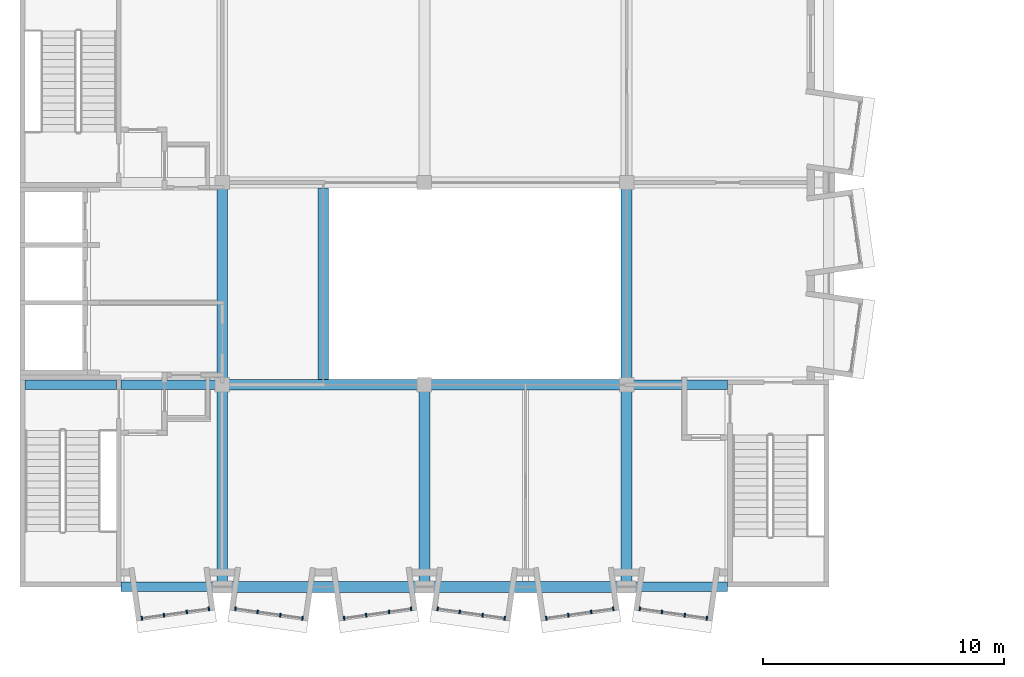
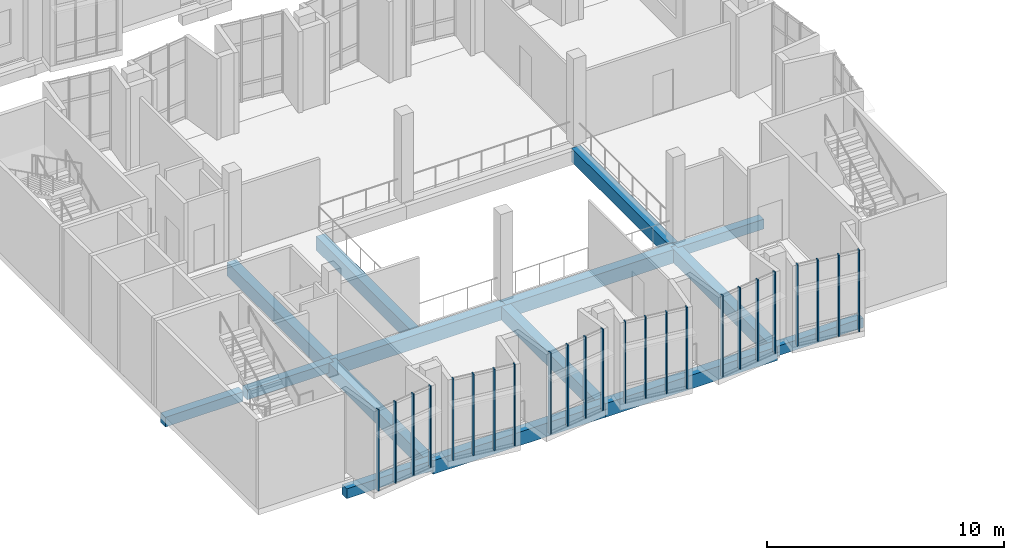
# One storey, part 2 of 95: 24 members, 15 beams, 6 elements without a shape of their own.
"""IFC4 building model written with IfcOpenShell, lengths in metres."""

from ifc_helpers import new_model, si_unit, direction, frame, origin, origin_2d, place, context, subcontext, project, spatial, rectangle, extrude, material, layer, layer_set, material_profile, profile_set, type_object, element, aggregate, save


model = new_model("IFC4")

# Units and contexts
model_context = context("Model", 3, precision=1e-05, world=origin(), true_north=direction((0.0, 1.0)))
body_context = subcontext(model_context, "Body", "Model", "MODEL_VIEW")
ifc_project = project(units=[si_unit("LENGTHUNIT", "METRE"), si_unit("AREAUNIT", "SQUARE_METRE"), si_unit("VOLUMEUNIT", "CUBIC_METRE"), si_unit("PLANEANGLEUNIT", "RADIAN"), si_unit("MASSUNIT", "GRAM", prefix="KILO")], contexts=[model_context])

# Site, building, storey
site_placement = place(None, origin())
site = spatial("IfcSite", under=ifc_project, at=site_placement, CompositionType="ELEMENT")
building_placement = place(site_placement, origin())
building = spatial("IfcBuilding", under=site, at=building_placement, Name="Kiln Court Media Centre", CompositionType="ELEMENT")
storey_placement = place(building_placement, frame((0.0, 0.0, 24.60009765625)))
storey = spatial("IfcBuildingStorey", under=building, at=storey_placement, Name="L05", CompositionType="ELEMENT", Elevation=24.60009765625)

# Curtain wall, members
ifc_material_1 = material(Name="Aluminium 6063-T6", Category="aluminium")
ifc_layer = layer(ifc_material_1, 0.1201171875)
ifc_layer_set = layer_set([ifc_layer], Name="Aluminium unitised bay curtain wall")
curtain_wall_type = type_object("IfcCurtainWallType", Name="Aluminium unitised bay curtain wall", PredefinedType="USERDEFINED", material=ifc_layer_set)
curtain_wall_1_placement = place(storey_placement, origin())
curtain_wall_1 = element("IfcCurtainWall", 1, at=curtain_wall_1_placement, inside=storey, type_object=curtain_wall_type, Name="BAY V6A-S-L05-32 front", ObjectType="UNITISED CURTAIN WALL", PredefinedType="USERDEFINED")
ifc_material_2 = material(Name="Aluminium 6063-T6", Category="aluminium")
ifc_material_profile_1 = material_profile(ifc_material_2, rectangle(XDim=0.06005859375, YDim=0.159912109375, at=origin_2d()), Name="Aluminium mullion 60x160")
ifc_profile_set_1 = profile_set([ifc_material_profile_1], Name="Aluminium 6063-T6")
member_type = type_object("IfcMemberType", Name="Aluminium mullion 60x160", PredefinedType="MULLION", material=ifc_profile_set_1)
member_1_placement = place(storey_placement, frame((5.064453125, -1.3046875, 0.0), z_axis=(0.0, 0.0, 1.0), x_axis=(0.990269562409, 0.139162472554, 0.0)))
member_1 = element("IfcMember", 2, at=member_1_placement, type_object=member_type, Name="CW5-15 mullion 1", PredefinedType="MULLION", context=body_context, shape_type="SweptSolid", body=[
    extrude(rectangle(XDim=0.06005859375, YDim=0.159912109375, at=origin_2d()), origin(), (0.0, 0.0, 1.0), 4.199951171875),
])
member_2_placement = place(storey_placement, frame((5.982177734375, -1.17578125, 0.0), z_axis=(0.0, 0.0, 1.0), x_axis=(0.990269562409, 0.139162472554, 0.0)))
member_2 = element("IfcMember", 3, at=member_2_placement, type_object=member_type, Name="CW5-15 mullion 2", PredefinedType="MULLION", context=body_context, shape_type="SweptSolid", body=[
    extrude(rectangle(XDim=0.06005859375, YDim=0.159912109375, at=origin_2d()), origin(), (0.0, 0.0, 1.0), 4.199951171875),
])
member_3_placement = place(storey_placement, frame((6.929443359375, -1.04248046875, 0.0), z_axis=(0.0, 0.0, 1.0), x_axis=(0.990269562409, 0.139162472554, 0.0)))
member_3 = element("IfcMember", 4, at=member_3_placement, type_object=member_type, Name="CW5-15 mullion 3", PredefinedType="MULLION", context=body_context, shape_type="SweptSolid", body=[
    extrude(rectangle(XDim=0.06005859375, YDim=0.159912109375, at=origin_2d()), origin(), (0.0, 0.0, 1.0), 4.199951171875),
])
member_4_placement = place(storey_placement, frame((7.84716796875, -0.91357421875, 0.0), z_axis=(0.0, 0.0, 1.0), x_axis=(0.990269562409, 0.139162472554, 0.0)))
member_4 = element("IfcMember", 5, at=member_4_placement, type_object=member_type, Name="CW5-15 mullion 4", PredefinedType="MULLION", context=body_context, shape_type="SweptSolid", body=[
    extrude(rectangle(XDim=0.06005859375, YDim=0.159912109375, at=origin_2d()), origin(), (0.0, 0.0, 1.0), 4.199951171875),
])
aggregate(curtain_wall_1, [member_1, member_2, member_3, member_4])

curtain_wall_2_placement = place(storey_placement, origin())
curtain_wall_2 = element("IfcCurtainWall", 6, at=curtain_wall_2_placement, inside=storey, type_object=curtain_wall_type, Name="BAY V6A-S-L05-33 front", ObjectType="UNITISED CURTAIN WALL", PredefinedType="USERDEFINED")
member_5_placement = place(storey_placement, frame((8.952880859375, -0.91357421875, 0.0), z_axis=(0.0, 0.0, 1.0), x_axis=(0.990269562409, -0.139162472554, 0.0)))
member_5 = element("IfcMember", 7, at=member_5_placement, type_object=member_type, Name="CW5-16 mullion 1", PredefinedType="MULLION", context=body_context, shape_type="SweptSolid", body=[
    extrude(rectangle(XDim=0.06005859375, YDim=0.159912109375, at=origin_2d()), origin(), (0.0, 0.0, 1.0), 4.199951171875),
])
member_6_placement = place(storey_placement, frame((9.870361328125, -1.04248046875, 0.0), z_axis=(0.0, 0.0, 1.0), x_axis=(0.990269562409, -0.139162472554, 0.0)))
member_6 = element("IfcMember", 8, at=member_6_placement, type_object=member_type, Name="CW5-16 mullion 2", PredefinedType="MULLION", context=body_context, shape_type="SweptSolid", body=[
    extrude(rectangle(XDim=0.06005859375, YDim=0.159912109375, at=origin_2d()), origin(), (0.0, 0.0, 1.0), 4.199951171875),
])
member_7_placement = place(storey_placement, frame((10.81787109375, -1.17578125, 0.0), z_axis=(0.0, 0.0, 1.0), x_axis=(0.990269562409, -0.139162472554, 0.0)))
member_7 = element("IfcMember", 9, at=member_7_placement, type_object=member_type, Name="CW5-16 mullion 3", PredefinedType="MULLION", context=body_context, shape_type="SweptSolid", body=[
    extrude(rectangle(XDim=0.06005859375, YDim=0.159912109375, at=origin_2d()), origin(), (0.0, 0.0, 1.0), 4.199951171875),
])
member_8_placement = place(storey_placement, frame((11.735595703125, -1.3046875, 0.0), z_axis=(0.0, 0.0, 1.0), x_axis=(0.990269562409, -0.139162472554, 0.0)))
member_8 = element("IfcMember", 10, at=member_8_placement, type_object=member_type, Name="CW5-16 mullion 4", PredefinedType="MULLION", context=body_context, shape_type="SweptSolid", body=[
    extrude(rectangle(XDim=0.06005859375, YDim=0.159912109375, at=origin_2d()), origin(), (0.0, 0.0, 1.0), 4.199951171875),
])
aggregate(curtain_wall_2, [member_5, member_6, member_7, member_8])

curtain_wall_3_placement = place(storey_placement, origin())
curtain_wall_3 = element("IfcCurtainWall", 11, at=curtain_wall_3_placement, inside=storey, type_object=curtain_wall_type, Name="BAY V6A-S-L05-34 front", ObjectType="UNITISED CURTAIN WALL", PredefinedType="USERDEFINED")
member_9_placement = place(storey_placement, frame((13.464599609375, -1.3046875, 0.0), z_axis=(0.0, 0.0, 1.0), x_axis=(0.990269562409, 0.139162472554, 0.0)))
member_9 = element("IfcMember", 12, at=member_9_placement, type_object=member_type, Name="CW5-17 mullion 1", PredefinedType="MULLION", context=body_context, shape_type="SweptSolid", body=[
    extrude(rectangle(XDim=0.06005859375, YDim=0.159912109375, at=origin_2d()), origin(), (0.0, 0.0, 1.0), 4.199951171875),
])
member_10_placement = place(storey_placement, frame((14.382080078125, -1.17578125, 0.0), z_axis=(0.0, 0.0, 1.0), x_axis=(0.990269562409, 0.139162472554, 0.0)))
member_10 = element("IfcMember", 13, at=member_10_placement, type_object=member_type, Name="CW5-17 mullion 2", PredefinedType="MULLION", context=body_context, shape_type="SweptSolid", body=[
    extrude(rectangle(XDim=0.06005859375, YDim=0.159912109375, at=origin_2d()), origin(), (0.0, 0.0, 1.0), 4.199951171875),
])
member_11_placement = place(storey_placement, frame((15.32958984375, -1.04248046875, 0.0), z_axis=(0.0, 0.0, 1.0), x_axis=(0.990269562409, 0.139162472554, 0.0)))
member_11 = element("IfcMember", 14, at=member_11_placement, type_object=member_type, Name="CW5-17 mullion 3", PredefinedType="MULLION", context=body_context, shape_type="SweptSolid", body=[
    extrude(rectangle(XDim=0.06005859375, YDim=0.159912109375, at=origin_2d()), origin(), (0.0, 0.0, 1.0), 4.199951171875),
])
member_12_placement = place(storey_placement, frame((16.2470703125, -0.91357421875, 0.0), z_axis=(0.0, 0.0, 1.0), x_axis=(0.990269562409, 0.139162472554, 0.0)))
member_12 = element("IfcMember", 15, at=member_12_placement, type_object=member_type, Name="CW5-17 mullion 4", PredefinedType="MULLION", context=body_context, shape_type="SweptSolid", body=[
    extrude(rectangle(XDim=0.06005859375, YDim=0.159912109375, at=origin_2d()), origin(), (0.0, 0.0, 1.0), 4.199951171875),
])
aggregate(curtain_wall_3, [member_9, member_10, member_11, member_12])

curtain_wall_4_placement = place(storey_placement, origin())
curtain_wall_4 = element("IfcCurtainWall", 16, at=curtain_wall_4_placement, inside=storey, type_object=curtain_wall_type, Name="BAY V6A-S-L05-35 front", ObjectType="UNITISED CURTAIN WALL", PredefinedType="USERDEFINED")
member_13_placement = place(storey_placement, frame((17.352783203125, -0.91357421875, 0.0), z_axis=(0.0, 0.0, 1.0), x_axis=(0.990269562409, -0.139162472554, 0.0)))
member_13 = element("IfcMember", 17, at=member_13_placement, type_object=member_type, Name="CW5-18 mullion 1", PredefinedType="MULLION", context=body_context, shape_type="SweptSolid", body=[
    extrude(rectangle(XDim=0.06005859375, YDim=0.159912109375, at=origin_2d()), origin(), (0.0, 0.0, 1.0), 4.199951171875),
])
member_14_placement = place(storey_placement, frame((18.2705078125, -1.04248046875, 0.0), z_axis=(0.0, 0.0, 1.0), x_axis=(0.990269562409, -0.139162472554, 0.0)))
member_14 = element("IfcMember", 18, at=member_14_placement, type_object=member_type, Name="CW5-18 mullion 2", PredefinedType="MULLION", context=body_context, shape_type="SweptSolid", body=[
    extrude(rectangle(XDim=0.06005859375, YDim=0.159912109375, at=origin_2d()), origin(), (0.0, 0.0, 1.0), 4.199951171875),
])
member_15_placement = place(storey_placement, frame((19.2177734375, -1.17578125, 0.0), z_axis=(0.0, 0.0, 1.0), x_axis=(0.990269562409, -0.139162472554, 0.0)))
member_15 = element("IfcMember", 19, at=member_15_placement, type_object=member_type, Name="CW5-18 mullion 3", PredefinedType="MULLION", context=body_context, shape_type="SweptSolid", body=[
    extrude(rectangle(XDim=0.06005859375, YDim=0.159912109375, at=origin_2d()), origin(), (0.0, 0.0, 1.0), 4.199951171875),
])
member_16_placement = place(storey_placement, frame((20.135498046875, -1.3046875, 0.0), z_axis=(0.0, 0.0, 1.0), x_axis=(0.990269562409, -0.139162472554, 0.0)))
member_16 = element("IfcMember", 20, at=member_16_placement, type_object=member_type, Name="CW5-18 mullion 4", PredefinedType="MULLION", context=body_context, shape_type="SweptSolid", body=[
    extrude(rectangle(XDim=0.06005859375, YDim=0.159912109375, at=origin_2d()), origin(), (0.0, 0.0, 1.0), 4.199951171875),
])
aggregate(curtain_wall_4, [member_13, member_14, member_15, member_16])

curtain_wall_5_placement = place(storey_placement, origin())
curtain_wall_5 = element("IfcCurtainWall", 21, at=curtain_wall_5_placement, inside=storey, type_object=curtain_wall_type, Name="BAY V6A-S-L05-36 front", ObjectType="UNITISED CURTAIN WALL", PredefinedType="USERDEFINED")
member_17_placement = place(storey_placement, frame((21.864501953125, -1.3046875, 0.0), z_axis=(0.0, 0.0, 1.0), x_axis=(0.990269562409, 0.139162472554, 0.0)))
member_17 = element("IfcMember", 22, at=member_17_placement, type_object=member_type, Name="CW5-19 mullion 1", PredefinedType="MULLION", context=body_context, shape_type="SweptSolid", body=[
    extrude(rectangle(XDim=0.06005859375, YDim=0.159912109375, at=origin_2d()), origin(), (0.0, 0.0, 1.0), 4.199951171875),
])
member_18_placement = place(storey_placement, frame((22.7822265625, -1.17578125, 0.0), z_axis=(0.0, 0.0, 1.0), x_axis=(0.990269562409, 0.139162472554, 0.0)))
member_18 = element("IfcMember", 23, at=member_18_placement, type_object=member_type, Name="CW5-19 mullion 2", PredefinedType="MULLION", context=body_context, shape_type="SweptSolid", body=[
    extrude(rectangle(XDim=0.06005859375, YDim=0.159912109375, at=origin_2d()), origin(), (0.0, 0.0, 1.0), 4.199951171875),
])
member_19_placement = place(storey_placement, frame((23.7294921875, -1.04248046875, 0.0), z_axis=(0.0, 0.0, 1.0), x_axis=(0.990269562409, 0.139162472554, 0.0)))
member_19 = element("IfcMember", 24, at=member_19_placement, type_object=member_type, Name="CW5-19 mullion 3", PredefinedType="MULLION", context=body_context, shape_type="SweptSolid", body=[
    extrude(rectangle(XDim=0.06005859375, YDim=0.159912109375, at=origin_2d()), origin(), (0.0, 0.0, 1.0), 4.199951171875),
])
member_20_placement = place(storey_placement, frame((24.647216796875, -0.91357421875, 0.0), z_axis=(0.0, 0.0, 1.0), x_axis=(0.990269562409, 0.139162472554, 0.0)))
member_20 = element("IfcMember", 25, at=member_20_placement, type_object=member_type, Name="CW5-19 mullion 4", PredefinedType="MULLION", context=body_context, shape_type="SweptSolid", body=[
    extrude(rectangle(XDim=0.06005859375, YDim=0.159912109375, at=origin_2d()), origin(), (0.0, 0.0, 1.0), 4.199951171875),
])
aggregate(curtain_wall_5, [member_17, member_18, member_19, member_20])

curtain_wall_6_placement = place(storey_placement, origin())
curtain_wall_6 = element("IfcCurtainWall", 26, at=curtain_wall_6_placement, inside=storey, type_object=curtain_wall_type, Name="BAY V6A-S-L05-37 front", ObjectType="UNITISED CURTAIN WALL", PredefinedType="USERDEFINED")
member_21_placement = place(storey_placement, frame((25.7529296875, -0.91357421875, 0.0), z_axis=(0.0, 0.0, 1.0), x_axis=(0.990269562409, -0.139162472554, 0.0)))
member_21 = element("IfcMember", 27, at=member_21_placement, type_object=member_type, Name="CW5-20 mullion 1", PredefinedType="MULLION", context=body_context, shape_type="SweptSolid", body=[
    extrude(rectangle(XDim=0.06005859375, YDim=0.159912109375, at=origin_2d()), origin(), (0.0, 0.0, 1.0), 4.199951171875),
])
member_22_placement = place(storey_placement, frame((26.67041015625, -1.04248046875, 0.0), z_axis=(0.0, 0.0, 1.0), x_axis=(0.990269562409, -0.139162472554, 0.0)))
member_22 = element("IfcMember", 28, at=member_22_placement, type_object=member_type, Name="CW5-20 mullion 2", PredefinedType="MULLION", context=body_context, shape_type="SweptSolid", body=[
    extrude(rectangle(XDim=0.06005859375, YDim=0.159912109375, at=origin_2d()), origin(), (0.0, 0.0, 1.0), 4.199951171875),
])
member_23_placement = place(storey_placement, frame((27.617919921875, -1.17578125, 0.0), z_axis=(0.0, 0.0, 1.0), x_axis=(0.990269562409, -0.139162472554, 0.0)))
member_23 = element("IfcMember", 29, at=member_23_placement, type_object=member_type, Name="CW5-20 mullion 3", PredefinedType="MULLION", context=body_context, shape_type="SweptSolid", body=[
    extrude(rectangle(XDim=0.06005859375, YDim=0.159912109375, at=origin_2d()), origin(), (0.0, 0.0, 1.0), 4.199951171875),
])
member_24_placement = place(storey_placement, frame((28.535400390625, -1.3046875, 0.0), z_axis=(0.0, 0.0, 1.0), x_axis=(0.990269562409, -0.139162472554, 0.0)))
member_24 = element("IfcMember", 30, at=member_24_placement, type_object=member_type, Name="CW5-20 mullion 4", PredefinedType="MULLION", context=body_context, shape_type="SweptSolid", body=[
    extrude(rectangle(XDim=0.06005859375, YDim=0.159912109375, at=origin_2d()), origin(), (0.0, 0.0, 1.0), 4.199951171875),
])
aggregate(curtain_wall_6, [member_21, member_22, member_23, member_24])

# Beams
ifc_material_3 = material(Name="Concrete C30/37", Category="concrete")
ifc_material_profile_2 = material_profile(ifc_material_3, rectangle(XDim=0.39990234375, YDim=0.5, at=origin_2d()), Name="RC 400x500")
ifc_profile_set_2 = profile_set([ifc_material_profile_2], Name="Concrete C30/37")
beam_type_1 = type_object("IfcBeamType", Name="Concrete C30/37 beam 400x500", PredefinedType="BEAM", material=ifc_profile_set_2)
for number, where, z_axis, x_axis, name in (
    (31, (4.199951171875, 0.0, -0.550048828125), (1.0, 0.0, 0.0), (0.0, 1.0, 0.0), "L05-B-1011"),
    (32, (25.199951171875, 0.0, -0.550048828125), (1.0, 0.0, 0.0), (0.0, 1.0, 0.0), "L05-B-1014"),
):
    element("IfcBeam", number, at=place(storey_placement, frame(where, z_axis=z_axis, x_axis=x_axis)), inside=storey, type_object=beam_type_1, Name=name, PredefinedType="BEAM", context=body_context, shape_type="SweptSolid", body=[
        extrude(rectangle(XDim=0.39990234375, YDim=0.5, at=origin_2d()), origin(), (0.0, 0.0, 1.0), 4.199951171875),
    ])
beam_1_placement = place(storey_placement, frame((0.199951171875, 8.39990234375, -0.550048828125), z_axis=(1.0, 0.0, 0.0), x_axis=(0.0, 1.0, 0.0)))
element("IfcBeam", 33, at=beam_1_placement, inside=storey, type_object=beam_type_1, Name="L05-B-1015", PredefinedType="BEAM", context=body_context, shape_type="SweptSolid", body=[
    extrude(rectangle(XDim=0.39990234375, YDim=0.5, at=origin_2d()), origin(), (0.0, 0.0, 1.0), 3.800048828125),
])
for number, where, z_axis, x_axis, name in (
    (34, (4.199951171875, 8.39990234375, -0.550048828125), (1.0, 0.0, 0.0), (0.0, 1.0, 0.0), "L05-B-1016"),
    (35, (25.199951171875, 8.39990234375, -0.550048828125), (1.0, 0.0, 0.0), (0.0, 1.0, 0.0), "L05-B-1019"),
):
    element("IfcBeam", number, at=place(storey_placement, frame(where, z_axis=z_axis, x_axis=x_axis)), inside=storey, type_object=beam_type_1, Name=name, PredefinedType="BEAM", context=body_context, shape_type="SweptSolid", body=[
        extrude(rectangle(XDim=0.39990234375, YDim=0.5, at=origin_2d()), origin(), (0.0, 0.0, 1.0), 4.199951171875),
    ])
ifc_material_4 = material(Name="Concrete C30/37", Category="concrete")
ifc_material_profile_3 = material_profile(ifc_material_4, rectangle(XDim=0.449951171875, YDim=0.699951171875, at=origin_2d()), Name="RC 450x700")
ifc_profile_set_3 = profile_set([ifc_material_profile_3], Name="Concrete C30/37")
beam_type_2 = type_object("IfcBeamType", Name="Concrete C30/37 beam 450x700", PredefinedType="BEAM", material=ifc_profile_set_3)
beam_2_placement = place(storey_placement, frame((8.39990234375, 0.0, -0.650146484375), z_axis=(0.0, 1.0, 0.0), x_axis=(-1.0, 0.0, 0.0)))
element("IfcBeam", 36, at=beam_2_placement, inside=storey, type_object=beam_type_2, Name="L05-B-1001", PredefinedType="BEAM", context=body_context, shape_type="SweptSolid", body=[
    extrude(rectangle(XDim=0.449951171875, YDim=0.699951171875, at=origin_2d()), origin(), (0.0, 0.0, 1.0), 8.39990234375),
])
beam_3_placement = place(storey_placement, frame((8.39990234375, 8.39990234375, -0.650146484375), z_axis=(0.0, 1.0, 0.0), x_axis=(-1.0, 0.0, 0.0)))
element("IfcBeam", 37, at=beam_3_placement, inside=storey, type_object=beam_type_2, Name="L05-B-1002", PredefinedType="BEAM", context=body_context, shape_type="SweptSolid", body=[
    extrude(rectangle(XDim=0.449951171875, YDim=0.699951171875, at=origin_2d()), origin(), (0.0, 0.0, 1.0), 8.400146484375),
])
for number, where, z_axis, x_axis, name in (
    (38, (16.800048828125, 0.0, -0.650146484375), (0.0, 1.0, 0.0), (-1.0, 0.0, 0.0), "L05-B-1004"),
    (39, (25.199951171875, 0.0, -0.650146484375), (0.0, 1.0, 0.0), (-1.0, 0.0, 0.0), "L05-B-1006"),
):
    element("IfcBeam", number, at=place(storey_placement, frame(where, z_axis=z_axis, x_axis=x_axis)), inside=storey, type_object=beam_type_2, Name=name, PredefinedType="BEAM", context=body_context, shape_type="SweptSolid", body=[
        extrude(rectangle(XDim=0.449951171875, YDim=0.699951171875, at=origin_2d()), origin(), (0.0, 0.0, 1.0), 8.39990234375),
    ])
for number, where, z_axis, x_axis, name in (
    (40, (25.199951171875, 8.39990234375, -0.650146484375), (0.0, 1.0, 0.0), (-1.0, 0.0, 0.0), "L05-B-1007"),
    (41, (8.39990234375, 0.0, -0.650146484375), (1.0, 0.0, 0.0), (0.0, 1.0, 0.0), "L05-B-1012"),
):
    element("IfcBeam", number, at=place(storey_placement, frame(where, z_axis=z_axis, x_axis=x_axis)), inside=storey, type_object=beam_type_2, Name=name, PredefinedType="BEAM", context=body_context, shape_type="SweptSolid", body=[
        extrude(rectangle(XDim=0.449951171875, YDim=0.699951171875, at=origin_2d()), origin(), (0.0, 0.0, 1.0), 8.400146484375),
    ])
beam_4_placement = place(storey_placement, frame((16.800048828125, 0.0, -0.650146484375), z_axis=(1.0, 0.0, 0.0), x_axis=(0.0, 1.0, 0.0)))
element("IfcBeam", 42, at=beam_4_placement, inside=storey, type_object=beam_type_2, Name="L05-B-1013", PredefinedType="BEAM", context=body_context, shape_type="SweptSolid", body=[
    extrude(rectangle(XDim=0.449951171875, YDim=0.699951171875, at=origin_2d()), origin(), (0.0, 0.0, 1.0), 8.39990234375),
])
beam_5_placement = place(storey_placement, frame((8.39990234375, 8.39990234375, -0.650146484375), z_axis=(1.0, 0.0, 0.0), x_axis=(0.0, 1.0, 0.0)))
element("IfcBeam", 43, at=beam_5_placement, inside=storey, type_object=beam_type_2, Name="L05-B-1017", PredefinedType="BEAM", context=body_context, shape_type="SweptSolid", body=[
    extrude(rectangle(XDim=0.449951171875, YDim=0.699951171875, at=origin_2d()), origin(), (0.0, 0.0, 1.0), 8.400146484375),
])
beam_6_placement = place(storey_placement, frame((16.800048828125, 8.39990234375, -0.650146484375), z_axis=(1.0, 0.0, 0.0), x_axis=(0.0, 1.0, 0.0)))
element("IfcBeam", 44, at=beam_6_placement, inside=storey, type_object=beam_type_2, Name="L05-B-1018", PredefinedType="BEAM", context=body_context, shape_type="SweptSolid", body=[
    extrude(rectangle(XDim=0.449951171875, YDim=0.699951171875, at=origin_2d()), origin(), (0.0, 0.0, 1.0), 8.39990234375),
])
beam_7_placement = place(storey_placement, frame((12.60009765625, 16.574951171875, -0.650146484375), z_axis=(0.0, -1.0, 0.0), x_axis=(1.0, 0.0, 0.0)))
element("IfcBeam", 45, at=beam_7_placement, inside=storey, type_object=beam_type_2, Name="L05-B-1028", PredefinedType="BEAM", context=body_context, shape_type="SweptSolid", body=[
    extrude(rectangle(XDim=0.449951171875, YDim=0.699951171875, at=origin_2d()), origin(), (0.0, 0.0, 1.0), 7.949951171875),
])

save(model, "model.ifc")
